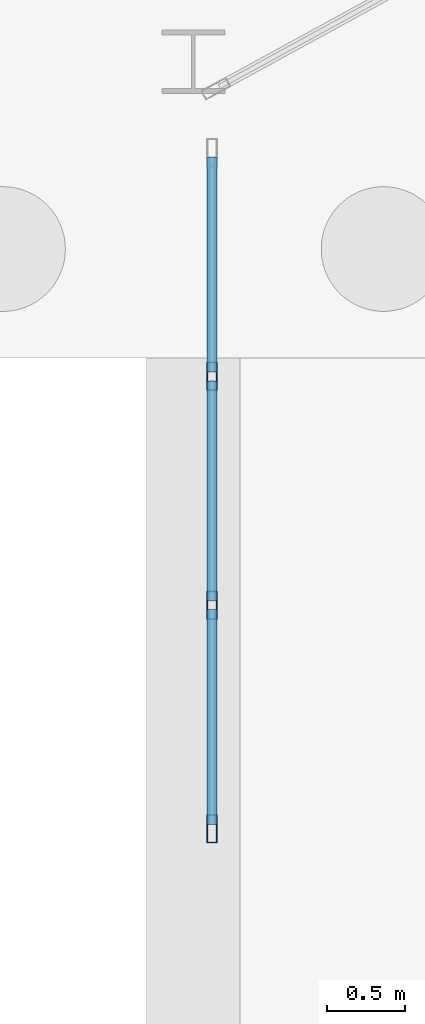
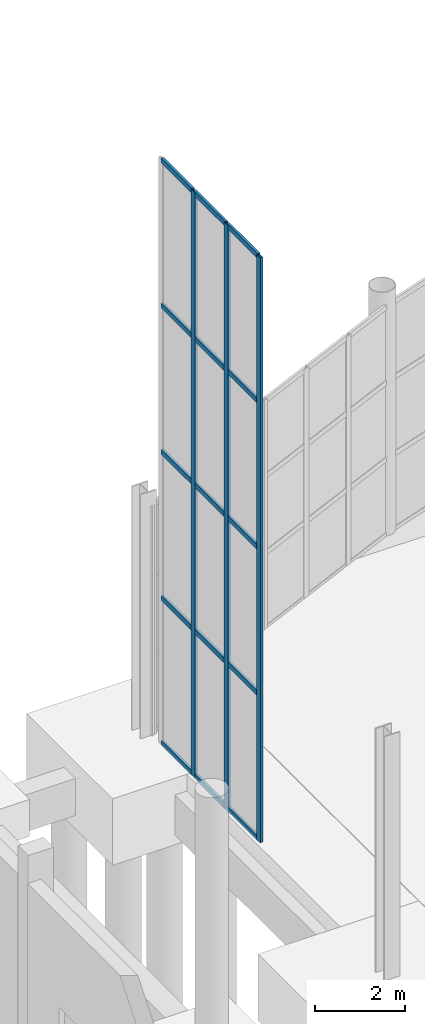
# One storey, part 55 of 115: 18 members, 1 element without a shape of its own.
"""IFC4 building model written with IfcOpenShell, lengths in metres."""

import ifcopenshell
import ifcopenshell.guid

model = None  # the IFC model being written
_history = None  # IfcOwnerHistory: only IFC2X3 demands one
_inside = {}  # id of a spatial element -> (the spatial element, [elements in it])
_under = {}  # id of a project, library or spatial element -> (it, [spatial elements below it])
_declared = {}  # id of a project -> (the project, [libraries it declares])
_typed = {}  # id of a type object -> (the type object, [elements of that type])
_made_of = {}  # id of a material, layer set ... -> (it, [elements and type objects made of it])


def new_model(schema):
    """Start an empty IFC model of exactly this schema.

    Asked for "IFC4X3", IfcOpenShell would pick the latest addendum, in which some entities
    have other attributes; the version numbers below select the first issue.
    IFC2X3 requires an IfcOwnerHistory on every rooted entity: one is made here for all.
    """
    global model, _history
    if schema == "IFC4X3":
        model = ifcopenshell.file(schema_version=(4, 3, 0, 0))
    else:
        model = ifcopenshell.file(schema=schema)
    _inside.clear()
    _under.clear()
    _declared.clear()
    _typed.clear()
    _made_of.clear()
    _history = None
    if model.schema == "IFC2X3":
        org = make("IfcOrganization", Name="unknown")
        user = make(
            "IfcPersonAndOrganization",
            ThePerson=make("IfcPerson", FamilyName="unknown"),
            TheOrganization=org,
        )
        app = make(
            "IfcApplication",
            ApplicationDeveloper=org,
            Version="unknown",
            ApplicationFullName="unknown",
            ApplicationIdentifier="unknown",
        )
        _history = make(
            "IfcOwnerHistory",
            OwningUser=user,
            OwningApplication=app,
            ChangeAction="ADDED",
            CreationDate=0,
        )
    return model


def make(cls, **values):
    """One entity of the class cls with the attributes given. An attribute that is None is left unset."""
    return model.create_entity(
        cls, **{name: value for name, value in values.items() if value is not None}
    )


def rooted(cls, **values):
    """An entity with a GlobalId (a new one), such as an element, a storey or a relation."""
    return make(cls, GlobalId=ifcopenshell.guid.new(), OwnerHistory=_history, **values)


def si_unit(unit_type, name, prefix=None):
    """IfcSIUnit, for example si_unit("LENGTHUNIT", "METRE", prefix="MILLI")."""
    return make("IfcSIUnit", UnitType=unit_type, Prefix=prefix, Name=name)


def assignment(units):
    """IfcUnitAssignment: the units of a project."""
    return None if units is None else make("IfcUnitAssignment", Units=units)


def point(xyz):
    """IfcCartesianPoint."""
    return None if xyz is None else make("IfcCartesianPoint", Coordinates=xyz)


def direction(xyz):
    """IfcDirection."""
    return None if xyz is None else make("IfcDirection", DirectionRatios=xyz)


def frame(location, z_axis=None, x_axis=None):
    """IfcAxis2Placement3D, a coordinate frame: its origin and axes. An axis left out is left unset."""
    return make(
        "IfcAxis2Placement3D",
        Location=point(location),
        Axis=direction(z_axis),
        RefDirection=direction(x_axis),
    )


def frame_2d(location, x_axis=None):
    """IfcAxis2Placement2D, a coordinate frame in the plane: its origin and x axis."""
    return make(
        "IfcAxis2Placement2D", Location=point(location), RefDirection=direction(x_axis)
    )


def origin():
    """The frame at (0, 0, 0) with its axes left unset."""
    return frame((0.0, 0.0, 0.0))


def origin_2d():
    """The frame at (0, 0) in the plane with its x axis left unset."""
    return frame_2d((0.0, 0.0))


def place(relative_to, where):
    """IfcLocalPlacement: puts the frame where relative to a parent placement (None: the world)."""
    return make(
        "IfcLocalPlacement", PlacementRelTo=relative_to, RelativePlacement=where
    )


def context(
    kind, dimensions, precision=None, world=None, true_north=None, identifier=None
):
    """IfcGeometricRepresentationContext, for example the 3D "Model" context."""
    return make(
        "IfcGeometricRepresentationContext",
        ContextIdentifier=identifier,
        ContextType=kind,
        CoordinateSpaceDimension=dimensions,
        Precision=precision,
        WorldCoordinateSystem=world,
        TrueNorth=true_north,
    )


def subcontext(parent, identifier, kind, view, scale=None):
    """IfcGeometricRepresentationSubContext, for example "Body" below "Model"."""
    return make(
        "IfcGeometricRepresentationSubContext",
        ContextIdentifier=identifier,
        ContextType=kind,
        ParentContext=parent,
        TargetScale=scale,
        TargetView=view,
    )


def project(units=None, contexts=None):
    """IfcProject with its units and contexts."""
    return rooted(
        "IfcProject",
        Name="project",
        RepresentationContexts=contexts,
        UnitsInContext=assignment(units),
    )


def spatial(cls, under=None, at=None, **own):
    """A site, building, storey or space (cls), placed at a placement, below another one or the project."""
    s = rooted(cls, ObjectPlacement=at, **own)
    if under is not None:
        _under.setdefault(under.id(), (under, []))[1].append(s)
    return s


def profile(cls, at=None, kind="AREA", **sizes):
    """A parametric profile (cls). Its sizes go by their IFC names, for example OverallWidth=200.0."""
    return make(cls, ProfileType=kind, Position=at, **sizes)


def hollow_rectangle(**sizes):
    """IfcRectangleHollowProfileDef."""
    return profile("IfcRectangleHollowProfileDef", **sizes)


def extrude(swept, where, along, depth):
    """IfcExtrudedAreaSolid: the profile swept, set in the frame where, extruded along a direction by depth."""
    return make(
        "IfcExtrudedAreaSolid",
        SweptArea=swept,
        Position=where,
        ExtrudedDirection=direction(along),
        Depth=depth,
    )


def shape(context_of_items, identifier, shape_type, items):
    """IfcShapeRepresentation: the items that make up one representation, for example the "Body"."""
    return make(
        "IfcShapeRepresentation",
        ContextOfItems=context_of_items,
        RepresentationIdentifier=identifier,
        RepresentationType=shape_type,
        Items=items,
    )


def material(Name=None, Category=None):
    """IfcMaterial."""
    return make("IfcMaterial", Name=Name, Category=Category)


def layer(
    of_material, thickness, ventilated=None, Name=None, Category=None, Priority=None
):
    """IfcMaterialLayer: one layer of a wall or slab, of a material (None: an air gap)."""
    return make(
        "IfcMaterialLayer",
        Material=of_material,
        LayerThickness=thickness,
        IsVentilated=ventilated,
        Name=Name,
        Category=Category,
        Priority=Priority,
    )


def layer_set(layers, Name=None):
    """IfcMaterialLayerSet."""
    return make("IfcMaterialLayerSet", MaterialLayers=layers, LayerSetName=Name)


def material_profile(
    of_material, cross_section, Name=None, Category=None, Priority=None
):
    """IfcMaterialProfile: a cross section and its material."""
    return make(
        "IfcMaterialProfile",
        Name=Name,
        Material=of_material,
        Profile=cross_section,
        Priority=Priority,
        Category=Category,
    )


def profile_set(profiles, Name=None, composite=None):
    """IfcMaterialProfileSet."""
    return make(
        "IfcMaterialProfileSet",
        Name=Name,
        MaterialProfiles=profiles,
        CompositeProfile=composite,
    )


def made_of(thing, what):
    """Note that an element or type object is made of a material, layer set ...; save() writes the relation."""
    if what is not None:
        _made_of.setdefault(what.id(), (what, []))[1].append(thing)
    return thing


def type_object(cls, material=None, **own):
    """A type object (cls), such as IfcWallType, which elements share."""
    return made_of(rooted(cls, **own), material)


def element(
    cls,
    number,
    at=None,
    inside=None,
    cuts=None,
    type_object=None,
    material=None,
    context=None,
    identifier="Body",
    shape_type=None,
    held_by="IfcProductDefinitionShape",
    body=None,
    shapes=None,
    **own,
):
    """One element of the class cls, such as IfcWall. Its Tag is "e" and its number.

    at: its placement. inside: the storey or other place that contains it. cuts: it is an
    opening in that element (IfcRelVoidsElement). A single representation is given by context,
    identifier, shape_type and body (its items); several are given by shapes. held_by: the class
    of the entity that holds the representations. save() writes the other relations.
    """
    e = rooted(cls, Tag="e%d" % number, ObjectPlacement=at, **own)
    if body is not None:
        shapes = [shape(context, identifier, shape_type, body)]
    if shapes is not None:
        e.Representation = make(held_by, Representations=shapes)
    if inside is not None:
        _inside.setdefault(inside.id(), (inside, []))[1].append(e)
    if cuts is not None:
        rooted(
            "IfcRelVoidsElement", RelatingBuildingElement=cuts, RelatedOpeningElement=e
        )
    if type_object is not None:
        _typed.setdefault(type_object.id(), (type_object, []))[1].append(e)
    return made_of(e, material)


def aggregate(whole, parts):
    """IfcRelAggregates: a whole, such as a stair, and the parts it consists of."""
    return rooted("IfcRelAggregates", RelatingObject=whole, RelatedObjects=parts)


def save(model, path):
    """Write the relations noted so far, then the file.

    IfcRelAggregates (storeys below a building ...), IfcRelContainedInSpatialStructure (elements
    in a storey), IfcRelDefinesByType, IfcRelAssociatesMaterial and IfcRelDeclares: one each for
    every whole, place, type object, material and project.
    """
    for whole, parts in _under.values():
        aggregate(whole, parts)
    for where, things in _inside.values():
        rooted(
            "IfcRelContainedInSpatialStructure",
            RelatedElements=things,
            RelatingStructure=where,
        )
    for kind, things in _typed.values():
        rooted("IfcRelDefinesByType", RelatedObjects=things, RelatingType=kind)
    for what, things in _made_of.values():
        rooted("IfcRelAssociatesMaterial", RelatedObjects=things, RelatingMaterial=what)
    for by, libraries in _declared.values():
        rooted("IfcRelDeclares", RelatingContext=by, RelatedDefinitions=libraries)
    model.write(path)


model = new_model("IFC4")

# Units and contexts
model_context = context("Model", 3, precision=1e-05, world=origin(), true_north=direction((0.0, 1.0)))
body_context = subcontext(model_context, "Body", "Model", "MODEL_VIEW")
ifc_project = project(units=[si_unit("LENGTHUNIT", "METRE"), si_unit("AREAUNIT", "SQUARE_METRE"), si_unit("VOLUMEUNIT", "CUBIC_METRE"), si_unit("PLANEANGLEUNIT", "RADIAN"), si_unit("MASSUNIT", "GRAM", prefix="KILO")], contexts=[model_context])

# Site, building, storey
site_placement = place(None, origin())
site = spatial("IfcSite", under=ifc_project, at=site_placement, CompositionType="ELEMENT")
building_placement = place(site_placement, origin())
building = spatial("IfcBuilding", under=site, at=building_placement, Name="Tamarisk Ironworks Central Station", CompositionType="ELEMENT")
storey_placement = place(building_placement, origin())
storey = spatial("IfcBuildingStorey", under=building, at=storey_placement, Name="L00", CompositionType="ELEMENT", Elevation=0.0)

# Curtain wall, members
ifc_material = material(Name="Anodized aluminium alloy 6063-T6", Category="aluminium")
ifc_layer = layer(ifc_material, 0.179931640625)
ifc_layer_set = layer_set([ifc_layer], Name="Anodized aluminium alloy 6063-T6")
curtain_wall_type = type_object("IfcCurtainWallType", Name="CW-04", PredefinedType="USERDEFINED", material=ifc_layer_set)
curtain_wall_placement = place(storey_placement, origin())
curtain_wall = element("IfcCurtainWall", 1, at=curtain_wall_placement, inside=storey, type_object=curtain_wall_type, Name="Concourse W track-overlook curtain wall 09", ObjectType="GLAZED CURTAIN WALL", PredefinedType="USERDEFINED")
ifc_material_profile_1 = material_profile(ifc_material, hollow_rectangle(XDim=0.06494140625, YDim=0.179931640625, WallThickness=0.00390625, at=origin_2d()), Name="ALUM 180x65")
ifc_profile_set_1 = profile_set([ifc_material_profile_1], Name="Anodized aluminium alloy 6063-T6")
member_type_1 = type_object("IfcMemberType", Name="CWM-02", PredefinedType="MULLION", material=ifc_profile_set_1)
member_1_placement = place(storey_placement, frame((54.1201171875, 106.6826171875, 0.0), z_axis=(0.0, 0.0, 1.0), x_axis=(-1.0, 0.0, 0.0)))
member_1 = element("IfcMember", 2, at=member_1_placement, type_object=member_type_1, Name="CW04 mullion 1", PredefinedType="MULLION", context=body_context, shape_type="SweptSolid", body=[
    extrude(hollow_rectangle(XDim=0.06494140625, YDim=0.179931640625, WallThickness=0.00390625, at=origin_2d()), origin(), (0.0, 0.0, 1.0), 15.820068359375),
])
member_2_placement = place(storey_placement, frame((54.1201171875, 108.11669921875, 0.0), z_axis=(0.0, 0.0, 1.0), x_axis=(-1.0, 0.0, 0.0)))
member_2 = element("IfcMember", 3, at=member_2_placement, type_object=member_type_1, Name="CW04 mullion 2", PredefinedType="MULLION", context=body_context, shape_type="SweptSolid", body=[
    extrude(hollow_rectangle(XDim=0.06494140625, YDim=0.179931640625, WallThickness=0.00390625, at=origin_2d()), origin(), (0.0, 0.0, 1.0), 15.820068359375),
])
member_3_placement = place(storey_placement, frame((54.1201171875, 109.583251953125, 0.0), z_axis=(0.0, 0.0, 1.0), x_axis=(-1.0, 0.0, 0.0)))
member_3 = element("IfcMember", 4, at=member_3_placement, type_object=member_type_1, Name="CW04 mullion 3", PredefinedType="MULLION", context=body_context, shape_type="SweptSolid", body=[
    extrude(hollow_rectangle(XDim=0.06494140625, YDim=0.179931640625, WallThickness=0.00390625, at=origin_2d()), origin(), (0.0, 0.0, 1.0), 15.820068359375),
])
ifc_material_profile_2 = material_profile(ifc_material, hollow_rectangle(XDim=0.06494140625, YDim=0.135009765625, WallThickness=0.00341796875, at=origin_2d()), Name="ALUM 135x65")
ifc_profile_set_2 = profile_set([ifc_material_profile_2], Name="Anodized aluminium alloy 6063-T6")
member_type_2 = type_object("IfcMemberType", Name="CWT-02", PredefinedType="USERDEFINED", material=ifc_profile_set_2)
member_4_placement = place(storey_placement, frame((54.1201171875, 106.7109375, 0.032470703125), z_axis=(0.0, 1.0, 0.0), x_axis=(-1.0, 0.0, 0.0)))
member_4 = element("IfcMember", 5, at=member_4_placement, type_object=member_type_2, Name="CW04 transom 1.1", ObjectType="TRANSOM", PredefinedType="USERDEFINED", context=body_context, shape_type="SweptSolid", body=[
    extrude(hollow_rectangle(XDim=0.06494140625, YDim=0.135009765625, WallThickness=0.00341796875, at=origin_2d()), origin(), (0.0, 0.0, 1.0), 1.377197265625),
])
member_5_placement = place(storey_placement, frame((54.1201171875, 106.7109375, 3.955078125), z_axis=(0.0, 1.0, 0.0), x_axis=(-1.0, 0.0, 0.0)))
member_5 = element("IfcMember", 6, at=member_5_placement, type_object=member_type_2, Name="CW04 transom 1.2", ObjectType="TRANSOM", PredefinedType="USERDEFINED", context=body_context, shape_type="SweptSolid", body=[
    extrude(hollow_rectangle(XDim=0.06494140625, YDim=0.135009765625, WallThickness=0.00341796875, at=origin_2d()), origin(), (0.0, 0.0, 1.0), 1.377197265625),
])
member_6_placement = place(storey_placement, frame((54.1201171875, 106.7109375, 7.909912109375), z_axis=(0.0, 1.0, 0.0), x_axis=(-1.0, 0.0, 0.0)))
member_6 = element("IfcMember", 7, at=member_6_placement, type_object=member_type_2, Name="CW04 transom 1.3", ObjectType="TRANSOM", PredefinedType="USERDEFINED", context=body_context, shape_type="SweptSolid", body=[
    extrude(hollow_rectangle(XDim=0.06494140625, YDim=0.135009765625, WallThickness=0.00341796875, at=origin_2d()), origin(), (0.0, 0.0, 1.0), 1.377197265625),
])
member_7_placement = place(storey_placement, frame((54.1201171875, 106.7109375, 11.864990234375), z_axis=(0.0, 1.0, 0.0), x_axis=(-1.0, 0.0, 0.0)))
member_7 = element("IfcMember", 8, at=member_7_placement, type_object=member_type_2, Name="CW04 transom 1.4", ObjectType="TRANSOM", PredefinedType="USERDEFINED", context=body_context, shape_type="SweptSolid", body=[
    extrude(hollow_rectangle(XDim=0.06494140625, YDim=0.135009765625, WallThickness=0.00341796875, at=origin_2d()), origin(), (0.0, 0.0, 1.0), 1.377197265625),
])
member_8_placement = place(storey_placement, frame((54.1201171875, 106.7109375, 15.78759765625), z_axis=(0.0, 1.0, 0.0), x_axis=(-1.0, 0.0, 0.0)))
member_8 = element("IfcMember", 9, at=member_8_placement, type_object=member_type_2, Name="CW04 transom 1.5", ObjectType="TRANSOM", PredefinedType="USERDEFINED", context=body_context, shape_type="SweptSolid", body=[
    extrude(hollow_rectangle(XDim=0.06494140625, YDim=0.135009765625, WallThickness=0.00341796875, at=origin_2d()), origin(), (0.0, 0.0, 1.0), 1.377197265625),
])
member_9_placement = place(storey_placement, frame((54.1201171875, 108.145263671875, 0.032470703125), z_axis=(0.0, 1.0, 0.0), x_axis=(-1.0, 0.0, 0.0)))
member_9 = element("IfcMember", 10, at=member_9_placement, type_object=member_type_2, Name="CW04 transom 2.1", ObjectType="TRANSOM", PredefinedType="USERDEFINED", context=body_context, shape_type="SweptSolid", body=[
    extrude(hollow_rectangle(XDim=0.06494140625, YDim=0.135009765625, WallThickness=0.00341796875, at=origin_2d()), origin(), (0.0, 0.0, 1.0), 1.40966796875),
])
member_10_placement = place(storey_placement, frame((54.1201171875, 108.145263671875, 3.955078125), z_axis=(0.0, 1.0, 0.0), x_axis=(-1.0, 0.0, 0.0)))
member_10 = element("IfcMember", 11, at=member_10_placement, type_object=member_type_2, Name="CW04 transom 2.2", ObjectType="TRANSOM", PredefinedType="USERDEFINED", context=body_context, shape_type="SweptSolid", body=[
    extrude(hollow_rectangle(XDim=0.06494140625, YDim=0.135009765625, WallThickness=0.00341796875, at=origin_2d()), origin(), (0.0, 0.0, 1.0), 1.40966796875),
])
member_11_placement = place(storey_placement, frame((54.1201171875, 108.145263671875, 7.909912109375), z_axis=(0.0, 1.0, 0.0), x_axis=(-1.0, 0.0, 0.0)))
member_11 = element("IfcMember", 12, at=member_11_placement, type_object=member_type_2, Name="CW04 transom 2.3", ObjectType="TRANSOM", PredefinedType="USERDEFINED", context=body_context, shape_type="SweptSolid", body=[
    extrude(hollow_rectangle(XDim=0.06494140625, YDim=0.135009765625, WallThickness=0.00341796875, at=origin_2d()), origin(), (0.0, 0.0, 1.0), 1.40966796875),
])
member_12_placement = place(storey_placement, frame((54.1201171875, 108.145263671875, 11.864990234375), z_axis=(0.0, 1.0, 0.0), x_axis=(-1.0, 0.0, 0.0)))
member_12 = element("IfcMember", 13, at=member_12_placement, type_object=member_type_2, Name="CW04 transom 2.4", ObjectType="TRANSOM", PredefinedType="USERDEFINED", context=body_context, shape_type="SweptSolid", body=[
    extrude(hollow_rectangle(XDim=0.06494140625, YDim=0.135009765625, WallThickness=0.00341796875, at=origin_2d()), origin(), (0.0, 0.0, 1.0), 1.40966796875),
])
member_13_placement = place(storey_placement, frame((54.1201171875, 108.145263671875, 15.78759765625), z_axis=(0.0, 1.0, 0.0), x_axis=(-1.0, 0.0, 0.0)))
member_13 = element("IfcMember", 14, at=member_13_placement, type_object=member_type_2, Name="CW04 transom 2.5", ObjectType="TRANSOM", PredefinedType="USERDEFINED", context=body_context, shape_type="SweptSolid", body=[
    extrude(hollow_rectangle(XDim=0.06494140625, YDim=0.135009765625, WallThickness=0.00341796875, at=origin_2d()), origin(), (0.0, 0.0, 1.0), 1.40966796875),
])
member_14_placement = place(storey_placement, frame((54.1201171875, 109.61181640625, 0.032470703125), z_axis=(0.0, 1.0, 0.0), x_axis=(-1.0, 0.0, 0.0)))
member_14 = element("IfcMember", 15, at=member_14_placement, type_object=member_type_2, Name="CW04 transom 3.1", ObjectType="TRANSOM", PredefinedType="USERDEFINED", context=body_context, shape_type="SweptSolid", body=[
    extrude(hollow_rectangle(XDim=0.06494140625, YDim=0.135009765625, WallThickness=0.00341796875, at=origin_2d()), origin(), (0.0, 0.0, 1.0), 1.377197265625),
])
member_15_placement = place(storey_placement, frame((54.1201171875, 109.61181640625, 3.955078125), z_axis=(0.0, 1.0, 0.0), x_axis=(-1.0, 0.0, 0.0)))
member_15 = element("IfcMember", 16, at=member_15_placement, type_object=member_type_2, Name="CW04 transom 3.2", ObjectType="TRANSOM", PredefinedType="USERDEFINED", context=body_context, shape_type="SweptSolid", body=[
    extrude(hollow_rectangle(XDim=0.06494140625, YDim=0.135009765625, WallThickness=0.00341796875, at=origin_2d()), origin(), (0.0, 0.0, 1.0), 1.377197265625),
])
member_16_placement = place(storey_placement, frame((54.1201171875, 109.61181640625, 7.909912109375), z_axis=(0.0, 1.0, 0.0), x_axis=(-1.0, 0.0, 0.0)))
member_16 = element("IfcMember", 17, at=member_16_placement, type_object=member_type_2, Name="CW04 transom 3.3", ObjectType="TRANSOM", PredefinedType="USERDEFINED", context=body_context, shape_type="SweptSolid", body=[
    extrude(hollow_rectangle(XDim=0.06494140625, YDim=0.135009765625, WallThickness=0.00341796875, at=origin_2d()), origin(), (0.0, 0.0, 1.0), 1.377197265625),
])
member_17_placement = place(storey_placement, frame((54.1201171875, 109.61181640625, 11.864990234375), z_axis=(0.0, 1.0, 0.0), x_axis=(-1.0, 0.0, 0.0)))
member_17 = element("IfcMember", 18, at=member_17_placement, type_object=member_type_2, Name="CW04 transom 3.4", ObjectType="TRANSOM", PredefinedType="USERDEFINED", context=body_context, shape_type="SweptSolid", body=[
    extrude(hollow_rectangle(XDim=0.06494140625, YDim=0.135009765625, WallThickness=0.00341796875, at=origin_2d()), origin(), (0.0, 0.0, 1.0), 1.377197265625),
])
member_18_placement = place(storey_placement, frame((54.1201171875, 109.61181640625, 15.78759765625), z_axis=(0.0, 1.0, 0.0), x_axis=(-1.0, 0.0, 0.0)))
member_18 = element("IfcMember", 19, at=member_18_placement, type_object=member_type_2, Name="CW04 transom 3.5", ObjectType="TRANSOM", PredefinedType="USERDEFINED", context=body_context, shape_type="SweptSolid", body=[
    extrude(hollow_rectangle(XDim=0.06494140625, YDim=0.135009765625, WallThickness=0.00341796875, at=origin_2d()), origin(), (0.0, 0.0, 1.0), 1.377197265625),
])
aggregate(curtain_wall, [member_1, member_2, member_3, member_4, member_5, member_6, member_7, member_8, member_9, member_10, member_11, member_12, member_13, member_14, member_15, member_16, member_17, member_18])

save(model, "model.ifc")
